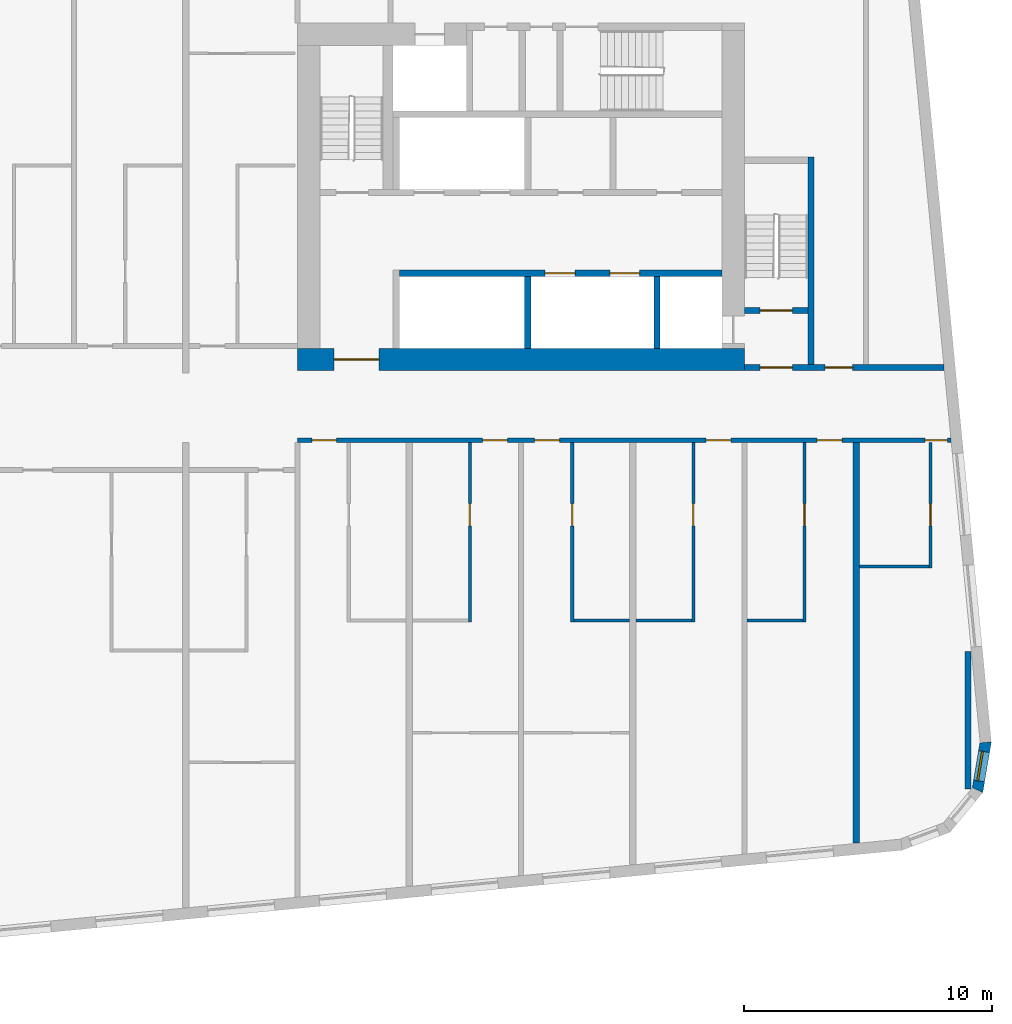
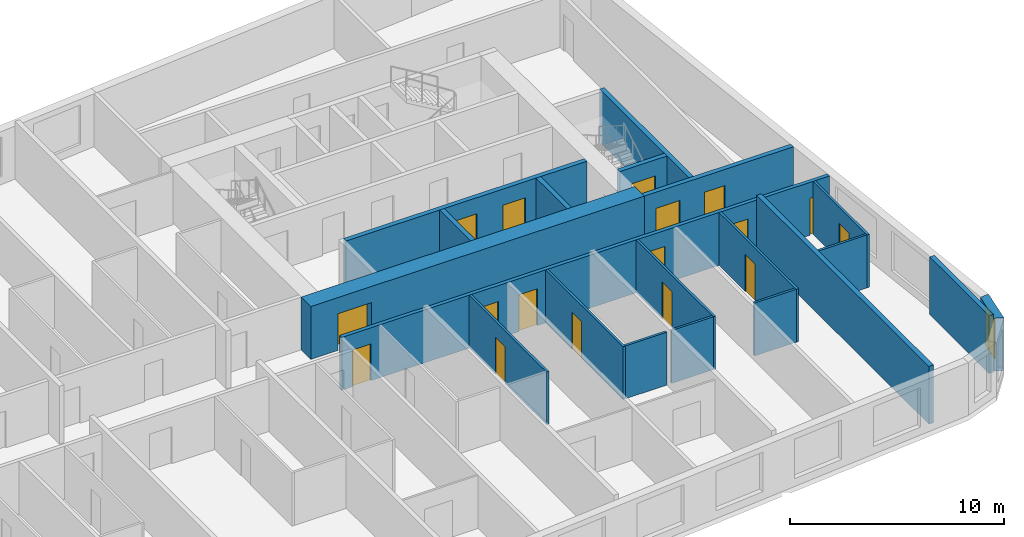
# One storey, part 7 of 12: 20 walls, 17 doors, 1 window, 18 openings.
"""IFC4 building model written with IfcOpenShell, lengths in metres."""

from ifc_helpers import new_model, si_unit, direction, frame, frame_2d, origin, place, context, subcontext, project, spatial, polyline, rectangle, outline, extrude, material, layer, layer_set, type_object, element, fill, save


model = new_model("IFC4")

# Units and contexts
model_context = context("Model", 3, precision=1e-05, world=origin(), true_north=direction((0.0, 1.0)))
body_context = subcontext(model_context, "Body", "Model", "MODEL_VIEW")
ifc_project = project(units=[si_unit("LENGTHUNIT", "METRE"), si_unit("AREAUNIT", "SQUARE_METRE"), si_unit("VOLUMEUNIT", "CUBIC_METRE"), si_unit("PLANEANGLEUNIT", "RADIAN"), si_unit("MASSUNIT", "GRAM", prefix="KILO")], contexts=[model_context])

# Site, building, storey
site_placement = place(None, origin())
site = spatial("IfcSite", under=ifc_project, at=site_placement, CompositionType="ELEMENT")
building_placement = place(site_placement, origin())
building = spatial("IfcBuilding", under=site, at=building_placement, Name="Kajstack Hotel Tower", CompositionType="ELEMENT")
storey_placement = place(building_placement, frame((0.0, 0.0, 193.300048828125)))
storey = spatial("IfcBuildingStorey", under=building, at=storey_placement, Name="L46", CompositionType="ELEMENT", Elevation=193.300048828125)

# Wall, opening, door
ifc_material_1 = material(Name="Concrete C60/75", Category="concrete")
ifc_layer_1 = layer(ifc_material_1, 0.89990234375)
ifc_layer_set_1 = layer_set([ifc_layer_1], Name="Core wall 900")
wall_type_1 = type_object("IfcWallType", Name="Core wall 900", PredefinedType="SHEAR", material=ifc_layer_set_1)
wall_1_placement = place(storey_placement, frame((13.5, 1.949951171875, 0.0), z_axis=(0.0, 0.0, 1.0), x_axis=(1.0, 0.0, 0.0)))
wall_1 = element("IfcWall", 1, at=wall_1_placement, inside=storey, type_object=wall_type_1, Name="Core wall E RN", PredefinedType="SHEAR", context=body_context, shape_type="SweptSolid", body=[
    extrude(rectangle(XDim=18.0, YDim=0.89990234375, at=frame_2d((9.0, 0.0))), origin(), (0.0, 0.0, 1.0), 3.02001953125),
])
opening_1_placement = place(wall_1_placement, frame((1.47509765625, 0.0, 0.0)))
opening_1 = element("IfcOpeningElement", 2, at=opening_1_placement, cuts=wall_1, Name="Opening 46E07", PredefinedType="OPENING", context=body_context, shape_type="SweptSolid", body=[
    extrude(rectangle(XDim=1.800048828125, YDim=2.10009765625, at=frame_2d((0.89990234375, 1.050048828125))), frame((0.0, 0.4599609375, 0.0), z_axis=(0.0, -1.0, 0.0), x_axis=(1.0, 0.0, 0.0)), (0.0, 0.0, 1.0), 0.919921875),
])
ifc_material_2 = material(Name="Glazed steel frame, fire-rated glass", Category="steel")
door_type_1 = type_object("IfcDoorType", Name="Lobby double door 1800", OperationType="DOUBLE_DOOR_DOUBLE_SWING", PredefinedType="DOOR", material=ifc_material_2)
door_1_placement = place(opening_1_placement, origin())
door_1 = element("IfcDoor", 3, at=door_1_placement, inside=storey, type_object=door_type_1, Name="Door 46E07", OperationType="DOUBLE_DOOR_DOUBLE_SWING", OverallHeight=2.10009765625, OverallWidth=1.800048828125, PredefinedType="DOOR", context=body_context, shape_type="SweptSolid", body=[
    extrude(rectangle(XDim=1.800048828125, YDim=2.10009765625, at=frame_2d((0.89990234375, 1.050048828125))), frame((0.0, 0.02490234375, 0.0), z_axis=(0.0, -1.0, 0.0), x_axis=(1.0, 0.0, 0.0)), (0.0, 0.0, 1.0), 0.050048828125),
])
fill(opening_1, door_1)

# Wall, openings, doors
ifc_material_3 = material(Name="Gypsum board on steel studs, mineral wool", Category="steel")
ifc_layer_2 = layer(ifc_material_3, 0.199951171875)
ifc_layer_set_2 = layer_set([ifc_layer_2], Name="Corridor wall 200")
wall_type_2 = type_object("IfcWallType", Name="Corridor wall 200", PredefinedType="PARTITIONING", material=ifc_layer_set_2)
wall_2_placement = place(storey_placement, frame((13.5, -1.300048828125, 0.0), z_axis=(0.0, 0.0, 1.0), x_axis=(1.0, 0.0, 0.0)))
wall_2 = element("IfcWall", 4, at=wall_2_placement, inside=storey, type_object=wall_type_2, Name="G-wall-L46-027", PredefinedType="PARTITIONING", context=body_context, shape_type="SweptSolid", body=[
    extrude(rectangle(XDim=26.31689453125, YDim=0.199951171875, at=frame_2d((13.158447265625, 0.0))), origin(), (0.0, 0.0, 1.0), 3.02001953125),
])
opening_2_placement = place(wall_2_placement, frame((0.574951171875, 0.0, 0.0)))
opening_2 = element("IfcOpeningElement", 5, at=opening_2_placement, cuts=wall_2, Name="Opening 46031", PredefinedType="OPENING", context=body_context, shape_type="SweptSolid", body=[
    extrude(rectangle(XDim=1.0, YDim=2.10009765625, at=frame_2d((0.5, 1.050048828125))), frame((0.0, 0.10986328125, 0.0), z_axis=(0.0, -1.0, 0.0), x_axis=(1.0, 0.0, 0.0)), (0.0, 0.0, 1.0), 0.219970703125),
])
opening_3_placement = place(wall_2_placement, frame((7.449951171875, 0.0, 0.0)))
opening_3 = element("IfcOpeningElement", 6, at=opening_3_placement, cuts=wall_2, Name="Opening 46033", PredefinedType="OPENING", context=body_context, shape_type="SweptSolid", body=[
    extrude(rectangle(XDim=1.0, YDim=2.10009765625, at=frame_2d((0.5, 1.050048828125))), frame((0.0, 0.10986328125, 0.0), z_axis=(0.0, -1.0, 0.0), x_axis=(1.0, 0.0, 0.0)), (0.0, 0.0, 1.0), 0.219970703125),
])
opening_4_placement = place(wall_2_placement, frame((9.550048828125, 0.0, 0.0)))
opening_4 = element("IfcOpeningElement", 7, at=opening_4_placement, cuts=wall_2, Name="Opening 46036", PredefinedType="OPENING", context=body_context, shape_type="SweptSolid", body=[
    extrude(rectangle(XDim=1.0, YDim=2.10009765625, at=frame_2d((0.5, 1.050048828125))), frame((0.0, 0.10986328125, 0.0), z_axis=(0.0, -1.0, 0.0), x_axis=(1.0, 0.0, 0.0)), (0.0, 0.0, 1.0), 0.219970703125),
])
opening_5_placement = place(wall_2_placement, frame((16.449951171875, 0.0, 0.0)))
opening_5 = element("IfcOpeningElement", 8, at=opening_5_placement, cuts=wall_2, Name="Opening 46039", PredefinedType="OPENING", context=body_context, shape_type="SweptSolid", body=[
    extrude(rectangle(XDim=1.0, YDim=2.10009765625, at=frame_2d((0.5, 1.050048828125))), frame((0.0, 0.10986328125, 0.0), z_axis=(0.0, -1.0, 0.0), x_axis=(1.0, 0.0, 0.0)), (0.0, 0.0, 1.0), 0.219970703125),
])
opening_6_placement = place(wall_2_placement, frame((20.925048828125, 0.0, 0.0)))
opening_6 = element("IfcOpeningElement", 9, at=opening_6_placement, cuts=wall_2, Name="Opening 46041", PredefinedType="OPENING", context=body_context, shape_type="SweptSolid", body=[
    extrude(rectangle(XDim=1.0, YDim=2.10009765625, at=frame_2d((0.5, 1.050048828125))), frame((0.0, 0.10986328125, 0.0), z_axis=(0.0, -1.0, 0.0), x_axis=(1.0, 0.0, 0.0)), (0.0, 0.0, 1.0), 0.219970703125),
])
opening_7_placement = place(wall_2_placement, frame((25.26708984375, 0.0, 0.0)))
opening_7 = element("IfcOpeningElement", 10, at=opening_7_placement, cuts=wall_2, Name="Opening 46043", PredefinedType="OPENING", context=body_context, shape_type="SweptSolid", body=[
    extrude(rectangle(XDim=0.89990234375, YDim=2.10009765625, at=frame_2d((0.449951171875, 1.050048828125))), frame((0.0, 0.10986328125, 0.0), z_axis=(0.0, -1.0, 0.0), x_axis=(1.0, 0.0, 0.0)), (0.0, 0.0, 1.0), 0.219970703125),
])
ifc_material_4 = material(Name="Oak veneer on timber core, fire-rated leaf", Category="wood")
door_type_2 = type_object("IfcDoorType", Name="Flat entrance door 1000", OperationType="SINGLE_SWING_LEFT", PredefinedType="DOOR", material=ifc_material_4)
door_2_placement = place(opening_2_placement, origin())
door_2 = element("IfcDoor", 11, at=door_2_placement, inside=storey, type_object=door_type_2, Name="G-door-L46-31", OperationType="SINGLE_SWING_RIGHT", OverallHeight=2.10009765625, OverallWidth=1.0, PredefinedType="DOOR", context=body_context, shape_type="SweptSolid", body=[
    extrude(rectangle(XDim=1.0, YDim=2.10009765625, at=frame_2d((0.5, 1.050048828125))), frame((0.0, 0.02490234375, 0.0), z_axis=(0.0, -1.0, 0.0), x_axis=(1.0, 0.0, 0.0)), (0.0, 0.0, 1.0), 0.050048828125),
])
fill(opening_2, door_2)
door_3_placement = place(opening_3_placement, origin())
door_3 = element("IfcDoor", 12, at=door_3_placement, inside=storey, type_object=door_type_2, Name="G-door-L46-33", OperationType="SINGLE_SWING_LEFT", OverallHeight=2.10009765625, OverallWidth=1.0, PredefinedType="DOOR", context=body_context, shape_type="SweptSolid", body=[
    extrude(rectangle(XDim=1.0, YDim=2.10009765625, at=frame_2d((0.5, 1.050048828125))), frame((0.0, 0.02490234375, 0.0), z_axis=(0.0, -1.0, 0.0), x_axis=(1.0, 0.0, 0.0)), (0.0, 0.0, 1.0), 0.050048828125),
])
fill(opening_3, door_3)
door_4_placement = place(opening_4_placement, origin())
door_4 = element("IfcDoor", 13, at=door_4_placement, inside=storey, type_object=door_type_2, Name="G-door-L46-36", OperationType="SINGLE_SWING_LEFT", OverallHeight=2.10009765625, OverallWidth=1.0, PredefinedType="DOOR", context=body_context, shape_type="SweptSolid", body=[
    extrude(rectangle(XDim=1.0, YDim=2.10009765625, at=frame_2d((0.5, 1.050048828125))), frame((0.0, 0.02490234375, 0.0), z_axis=(0.0, -1.0, 0.0), x_axis=(1.0, 0.0, 0.0)), (0.0, 0.0, 1.0), 0.050048828125),
])
fill(opening_4, door_4)
door_5_placement = place(opening_5_placement, origin())
door_5 = element("IfcDoor", 14, at=door_5_placement, inside=storey, type_object=door_type_2, Name="G-door-L46-39", OperationType="SINGLE_SWING_LEFT", OverallHeight=2.10009765625, OverallWidth=1.0, PredefinedType="DOOR", context=body_context, shape_type="SweptSolid", body=[
    extrude(rectangle(XDim=1.0, YDim=2.10009765625, at=frame_2d((0.5, 1.050048828125))), frame((0.0, 0.02490234375, 0.0), z_axis=(0.0, -1.0, 0.0), x_axis=(1.0, 0.0, 0.0)), (0.0, 0.0, 1.0), 0.050048828125),
])
fill(opening_5, door_5)
door_6_placement = place(opening_6_placement, origin())
door_6 = element("IfcDoor", 15, at=door_6_placement, inside=storey, type_object=door_type_2, Name="G-door-L46-41", OperationType="SINGLE_SWING_RIGHT", OverallHeight=2.10009765625, OverallWidth=1.0, PredefinedType="DOOR", context=body_context, shape_type="SweptSolid", body=[
    extrude(rectangle(XDim=1.0, YDim=2.10009765625, at=frame_2d((0.5, 1.050048828125))), frame((0.0, 0.02490234375, 0.0), z_axis=(0.0, -1.0, 0.0), x_axis=(1.0, 0.0, 0.0)), (0.0, 0.0, 1.0), 0.050048828125),
])
fill(opening_6, door_6)
ifc_material_5 = material(Name="Painted timber door leaf", Category="wood")
door_type_3 = type_object("IfcDoorType", Name="Room door 900", OperationType="SINGLE_SWING_LEFT", PredefinedType="DOOR", material=ifc_material_5)
door_7_placement = place(opening_7_placement, origin())
door_7 = element("IfcDoor", 16, at=door_7_placement, inside=storey, type_object=door_type_3, Name="G-door-L46-43", OperationType="SINGLE_SWING_LEFT", OverallHeight=2.10009765625, OverallWidth=0.89990234375, PredefinedType="DOOR", context=body_context, shape_type="SweptSolid", body=[
    extrude(rectangle(XDim=0.89990234375, YDim=2.10009765625, at=frame_2d((0.449951171875, 1.050048828125))), frame((0.0, 0.02490234375, 0.0), z_axis=(0.0, -1.0, 0.0), x_axis=(1.0, 0.0, 0.0)), (0.0, 0.0, 1.0), 0.050048828125),
])
fill(opening_7, door_7)

# Wall, opening, window
ifc_material_6 = material(Name="Terracotta-faced brick masonry", Category="masonry")
ifc_layer_3 = layer(ifc_material_6, 0.449951171875)
ifc_layer_set_3 = layer_set([ifc_layer_3], Name="EW-TERRA")
wall_type_3 = type_object("IfcWallType", Name="EW-TERRA", PredefinedType="SOLIDWALL", material=ifc_layer_set_3)
wall_3_placement = place(storey_placement, frame((40.874755859375, -15.44921875, 0.0), z_axis=(0.0, 0.0, 1.0), x_axis=(0.164953448126, 0.986301353518, 0.0)))
wall_3 = element("IfcWall", 17, at=wall_3_placement, inside=storey, type_object=wall_type_3, Name="E-wall-L46-07-00", PredefinedType="SOLIDWALL", context=body_context, shape_type="SweptSolid", body=[
    extrude(outline(polyline([(0.0, -0.224853515625), (2.070556640625, -0.22509765625), (1.9501953125, 0.224853515625), (0.12060546875, 0.22509765625), (0.0, -0.224853515625)])), origin(), (0.0, 0.0, 1.0), 3.02001953125),
])
opening_8_placement = place(wall_3_placement, frame((0.435302734375, 0.0, 0.449951171875)))
opening_8 = element("IfcOpeningElement", 18, at=opening_8_placement, cuts=wall_3, Name="Opening W3", PredefinedType="OPENING", context=body_context, shape_type="SweptSolid", body=[
    extrude(rectangle(XDim=1.199951171875, YDim=2.25, at=frame_2d((0.60009765625, 1.125))), frame((0.0, 0.23486328125, 0.0), z_axis=(0.0, -1.0, 0.0), x_axis=(1.0, 0.0, 0.0)), (0.0, 0.0, 1.0), 0.469970703125),
])
ifc_material_7 = material(Name="Timber-aluminium window, triple glazed", Category="wood")
window_type = type_object("IfcWindowType", Name="WG3", PartitioningType="SINGLE_PANEL", PredefinedType="WINDOW", material=ifc_material_7)
window_placement = place(opening_8_placement, origin())
window = element("IfcWindow", 19, at=window_placement, inside=storey, type_object=window_type, Name="Window W3 L46-07", OverallHeight=2.25, OverallWidth=1.199951171875, PartitioningType="SINGLE_PANEL", PredefinedType="WINDOW", context=body_context, shape_type="SweptSolid", body=[
    extrude(rectangle(XDim=1.199951171875, YDim=2.25, at=frame_2d((0.60009765625, 1.125))), frame((0.0, 0.090087890625, 0.0), z_axis=(0.0, -1.0, 0.0), x_axis=(1.0, 0.0, 0.0)), (0.0, 0.0, 1.0), 0.06005859375),
])
fill(opening_8, window)

# Wall, opening, door
ifc_material_8 = material(Name="Gypsum board and tiled backer on steel studs", Category="steel")
ifc_layer_4 = layer(ifc_material_8, 0.125)
ifc_layer_set_4 = layer_set([ifc_layer_4], Name="En-suite wall 125")
wall_type_4 = type_object("IfcWallType", Name="En-suite wall 125", PredefinedType="PARTITIONING", material=ifc_layer_set_4)
wall_4_placement = place(storey_placement, frame((20.43798828125, -8.625, 0.0), z_axis=(0.0, 0.0, 1.0), x_axis=(0.0, 1.0, 0.0)))
wall_4 = element("IfcWall", 20, at=wall_4_placement, inside=storey, type_object=wall_type_4, Name="G-wall-L46-044", PredefinedType="PARTITIONING", context=body_context, shape_type="SweptSolid", body=[
    extrude(rectangle(XDim=7.22509765625, YDim=0.125, at=frame_2d((3.612548828125, 0.0))), origin(), (0.0, 0.0, 1.0), 3.02001953125),
])
opening_9_placement = place(wall_4_placement, frame((3.875, 0.0, 0.0)))
opening_9 = element("IfcOpeningElement", 21, at=opening_9_placement, cuts=wall_4, Name="Opening 46034", PredefinedType="OPENING", context=body_context, shape_type="SweptSolid", body=[
    extrude(rectangle(XDim=0.89990234375, YDim=2.10009765625, at=frame_2d((0.449951171875, 1.050048828125))), frame((0.0, 0.072509765625, 0.0), z_axis=(0.0, -1.0, 0.0), x_axis=(1.0, 0.0, 0.0)), (0.0, 0.0, 1.0), 0.14501953125),
])
door_8_placement = place(opening_9_placement, origin())
door_8 = element("IfcDoor", 22, at=door_8_placement, inside=storey, type_object=door_type_3, Name="G-door-L46-34", OperationType="SINGLE_SWING_RIGHT", OverallHeight=2.10009765625, OverallWidth=0.89990234375, PredefinedType="DOOR", context=body_context, shape_type="SweptSolid", body=[
    extrude(rectangle(XDim=0.89990234375, YDim=2.10009765625, at=frame_2d((0.449951171875, 1.050048828125))), frame((0.0, 0.02490234375, 0.0), z_axis=(0.0, -1.0, 0.0), x_axis=(1.0, 0.0, 0.0)), (0.0, 0.0, 1.0), 0.050048828125),
])
fill(opening_9, door_8)

wall_5_placement = place(storey_placement, frame((24.56201171875, -8.625, 0.0), z_axis=(0.0, 0.0, 1.0), x_axis=(0.0, 1.0, 0.0)))
wall_5 = element("IfcWall", 23, at=wall_5_placement, inside=storey, type_object=wall_type_4, Name="G-wall-L46-047", PredefinedType="PARTITIONING", context=body_context, shape_type="SweptSolid", body=[
    extrude(rectangle(XDim=7.22509765625, YDim=0.125, at=frame_2d((3.612548828125, 0.0))), origin(), (0.0, 0.0, 1.0), 3.02001953125),
])
opening_10_placement = place(wall_5_placement, frame((3.875, 0.0, 0.0)))
opening_10 = element("IfcOpeningElement", 24, at=opening_10_placement, cuts=wall_5, Name="Opening 46037", PredefinedType="OPENING", context=body_context, shape_type="SweptSolid", body=[
    extrude(rectangle(XDim=0.89990234375, YDim=2.10009765625, at=frame_2d((0.449951171875, 1.050048828125))), frame((0.0, 0.072509765625, 0.0), z_axis=(0.0, -1.0, 0.0), x_axis=(1.0, 0.0, 0.0)), (0.0, 0.0, 1.0), 0.14501953125),
])
door_9_placement = place(opening_10_placement, origin())
door_9 = element("IfcDoor", 25, at=door_9_placement, inside=storey, type_object=door_type_3, Name="G-door-L46-37", OperationType="SINGLE_SWING_LEFT", OverallHeight=2.10009765625, OverallWidth=0.89990234375, PredefinedType="DOOR", context=body_context, shape_type="SweptSolid", body=[
    extrude(rectangle(XDim=0.89990234375, YDim=2.10009765625, at=frame_2d((0.449951171875, 1.050048828125))), frame((0.0, 0.02490234375, 0.0), z_axis=(0.0, -1.0, 0.0), x_axis=(1.0, 0.0, 0.0)), (0.0, 0.0, 1.0), 0.050048828125),
])
fill(opening_10, door_9)

# Wall
wall_6_placement = place(storey_placement, frame((24.625, -8.56201171875, 0.0), z_axis=(0.0, 0.0, 1.0), x_axis=(1.0, 0.0, 0.0)))
element("IfcWall", 26, at=wall_6_placement, inside=storey, type_object=wall_type_4, Name="G-wall-L46-048", PredefinedType="PARTITIONING", context=body_context, shape_type="SweptSolid", body=[
    extrude(rectangle(XDim=2.25, YDim=0.125, at=frame_2d((1.125, 0.0))), origin(), (0.0, 0.0, 1.0), 3.02001953125),
])

# Wall, opening, door
wall_7_placement = place(storey_placement, frame((29.43798828125, -8.625, 0.0), z_axis=(0.0, 0.0, 1.0), x_axis=(0.0, 1.0, 0.0)))
wall_7 = element("IfcWall", 27, at=wall_7_placement, inside=storey, type_object=wall_type_4, Name="G-wall-L46-051", PredefinedType="PARTITIONING", context=body_context, shape_type="SweptSolid", body=[
    extrude(rectangle(XDim=7.22509765625, YDim=0.125, at=frame_2d((3.612548828125, 0.0))), origin(), (0.0, 0.0, 1.0), 3.02001953125),
])
opening_11_placement = place(wall_7_placement, frame((3.875, 0.0, 0.0)))
opening_11 = element("IfcOpeningElement", 28, at=opening_11_placement, cuts=wall_7, Name="Opening 46040", PredefinedType="OPENING", context=body_context, shape_type="SweptSolid", body=[
    extrude(rectangle(XDim=0.89990234375, YDim=2.10009765625, at=frame_2d((0.449951171875, 1.050048828125))), frame((0.0, 0.072509765625, 0.0), z_axis=(0.0, -1.0, 0.0), x_axis=(1.0, 0.0, 0.0)), (0.0, 0.0, 1.0), 0.14501953125),
])
door_10_placement = place(opening_11_placement, origin())
door_10 = element("IfcDoor", 29, at=door_10_placement, inside=storey, type_object=door_type_3, Name="G-door-L46-40", OperationType="SINGLE_SWING_RIGHT", OverallHeight=2.10009765625, OverallWidth=0.89990234375, PredefinedType="DOOR", context=body_context, shape_type="SweptSolid", body=[
    extrude(rectangle(XDim=0.89990234375, YDim=2.10009765625, at=frame_2d((0.449951171875, 1.050048828125))), frame((0.0, 0.02490234375, 0.0), z_axis=(0.0, -1.0, 0.0), x_axis=(1.0, 0.0, 0.0)), (0.0, 0.0, 1.0), 0.050048828125),
])
fill(opening_11, door_10)

# Wall
wall_8_placement = place(storey_placement, frame((27.125, -8.56201171875, 0.0), z_axis=(0.0, 0.0, 1.0), x_axis=(1.0, 0.0, 0.0)))
element("IfcWall", 30, at=wall_8_placement, inside=storey, type_object=wall_type_4, Name="G-wall-L46-052", PredefinedType="PARTITIONING", context=body_context, shape_type="SweptSolid", body=[
    extrude(rectangle(XDim=2.25, YDim=0.125, at=frame_2d((1.125, 0.0))), origin(), (0.0, 0.0, 1.0), 3.02001953125),
])

# Wall, opening, door
wall_9_placement = place(storey_placement, frame((33.9130859375, -8.625, 0.0), z_axis=(0.0, 0.0, 1.0), x_axis=(0.0, 1.0, 0.0)))
wall_9 = element("IfcWall", 31, at=wall_9_placement, inside=storey, type_object=wall_type_4, Name="G-wall-L46-053", PredefinedType="PARTITIONING", context=body_context, shape_type="SweptSolid", body=[
    extrude(rectangle(XDim=7.22509765625, YDim=0.125, at=frame_2d((3.612548828125, 0.0))), origin(), (0.0, 0.0, 1.0), 3.02001953125),
])
opening_12_placement = place(wall_9_placement, frame((3.875, 0.0, 0.0)))
opening_12 = element("IfcOpeningElement", 32, at=opening_12_placement, cuts=wall_9, Name="Opening 46042", PredefinedType="OPENING", context=body_context, shape_type="SweptSolid", body=[
    extrude(rectangle(XDim=0.89990234375, YDim=2.10009765625, at=frame_2d((0.449951171875, 1.050048828125))), frame((0.0, 0.072509765625, 0.0), z_axis=(0.0, -1.0, 0.0), x_axis=(1.0, 0.0, 0.0)), (0.0, 0.0, 1.0), 0.14501953125),
])
door_11_placement = place(opening_12_placement, origin())
door_11 = element("IfcDoor", 33, at=door_11_placement, inside=storey, type_object=door_type_3, Name="G-door-L46-42", OperationType="SINGLE_SWING_LEFT", OverallHeight=2.10009765625, OverallWidth=0.89990234375, PredefinedType="DOOR", context=body_context, shape_type="SweptSolid", body=[
    extrude(rectangle(XDim=0.89990234375, YDim=2.10009765625, at=frame_2d((0.449951171875, 1.050048828125))), frame((0.0, 0.02490234375, 0.0), z_axis=(0.0, -1.0, 0.0), x_axis=(1.0, 0.0, 0.0)), (0.0, 0.0, 1.0), 0.050048828125),
])
fill(opening_12, door_11)

# Wall
wall_10_placement = place(storey_placement, frame((31.60009765625, -8.56201171875, 0.0), z_axis=(0.0, 0.0, 1.0), x_axis=(1.0, 0.0, 0.0)))
element("IfcWall", 34, at=wall_10_placement, inside=storey, type_object=wall_type_4, Name="G-wall-L46-054", PredefinedType="PARTITIONING", context=body_context, shape_type="SweptSolid", body=[
    extrude(rectangle(XDim=2.25, YDim=0.125, at=frame_2d((1.125, 0.0))), origin(), (0.0, 0.0, 1.0), 3.02001953125),
])

# Wall, opening, door
wall_11_placement = place(storey_placement, frame((38.987060546875, -6.445068359375, 0.0), z_axis=(0.0, 0.0, 1.0), x_axis=(0.0, 1.0, 0.0)))
wall_11 = element("IfcWall", 35, at=wall_11_placement, inside=storey, type_object=wall_type_4, Name="G-wall-L46-055", PredefinedType="PARTITIONING", context=body_context, shape_type="SweptSolid", body=[
    extrude(rectangle(XDim=5.045166015625, YDim=0.125, at=frame_2d((2.5224609375, 0.0))), origin(), (0.0, 0.0, 1.0), 3.02001953125),
])
opening_13_placement = place(wall_11_placement, frame((1.695068359375, 0.0, 0.0)))
opening_13 = element("IfcOpeningElement", 36, at=opening_13_placement, cuts=wall_11, Name="Opening 46044", PredefinedType="OPENING", context=body_context, shape_type="SweptSolid", body=[
    extrude(rectangle(XDim=0.89990234375, YDim=2.10009765625, at=frame_2d((0.449951171875, 1.050048828125))), frame((0.0, 0.072509765625, 0.0), z_axis=(0.0, -1.0, 0.0), x_axis=(1.0, 0.0, 0.0)), (0.0, 0.0, 1.0), 0.14501953125),
])
door_12_placement = place(opening_13_placement, origin())
door_12 = element("IfcDoor", 37, at=door_12_placement, inside=storey, type_object=door_type_3, Name="G-door-L46-44", OperationType="SINGLE_SWING_RIGHT", OverallHeight=2.10009765625, OverallWidth=0.89990234375, PredefinedType="DOOR", context=body_context, shape_type="SweptSolid", body=[
    extrude(rectangle(XDim=0.89990234375, YDim=2.10009765625, at=frame_2d((0.449951171875, 1.050048828125))), frame((0.0, 0.02490234375, 0.0), z_axis=(0.0, -1.0, 0.0), x_axis=(1.0, 0.0, 0.0)), (0.0, 0.0, 1.0), 0.050048828125),
])
fill(opening_13, door_12)

# Walls
wall_12_placement = place(storey_placement, frame((36.125, -6.382080078125, 0.0), z_axis=(0.0, 0.0, 1.0), x_axis=(1.0, 0.0, 0.0)))
element("IfcWall", 38, at=wall_12_placement, inside=storey, type_object=wall_type_4, Name="G-wall-L46-056", PredefinedType="PARTITIONING", context=body_context, shape_type="SweptSolid", body=[
    extrude(rectangle(XDim=2.800048828125, YDim=0.125, at=frame_2d((1.39990234375, 0.0))), origin(), (0.0, 0.0, 1.0), 3.02001953125),
])
ifc_material_9 = material(Name="Concrete C50/60", Category="concrete")
ifc_layer_5 = layer(ifc_material_9, 0.300048828125)
ifc_layer_set_5 = layer_set([ifc_layer_5], Name="Hoistway divider wall 300")
wall_type_5 = type_object("IfcWallType", Name="Hoistway divider wall 300", PredefinedType="SHEAR", material=ifc_layer_set_5)
wall_13_placement = place(storey_placement, frame((22.77490234375, 2.39990234375, 0.0), z_axis=(0.0, 0.0, 1.0), x_axis=(0.0, 1.0, 0.0)))
element("IfcWall", 39, at=wall_13_placement, inside=storey, type_object=wall_type_5, Name="Core wall E AP2", PredefinedType="SHEAR", context=body_context, shape_type="SweptSolid", body=[
    extrude(rectangle(XDim=2.900146484375, YDim=0.25, at=frame_2d((1.4501953125, 0.0))), origin(), (0.0, 0.0, 1.0), 3.02001953125),
])
ifc_layer_6 = layer(ifc_material_9, 0.25)
ifc_layer_set_6 = layer_set([ifc_layer_6], Name="RC cross wall 250 C50/60")
wall_type_6 = type_object("IfcWallType", Name="RC cross wall 250 C50/60", PredefinedType="SHEAR", material=ifc_layer_set_6)
wall_14_placement = place(storey_placement, frame((36.0, -17.51220703125, 0.0), z_axis=(0.0, 0.0, 1.0), x_axis=(0.0, 1.0, 0.0)))
element("IfcWall", 40, at=wall_14_placement, inside=storey, type_object=wall_type_6, Name="S-wall-L46-12", PredefinedType="SHEAR", context=body_context, shape_type="SweptSolid", body=[
    extrude(rectangle(XDim=16.1123046875, YDim=0.25, at=frame_2d((8.05615234375, 0.0))), origin(), (0.0, 0.0, 1.0), 3.300048828125),
])
wall_15_placement = place(storey_placement, frame((40.5, -15.335205078125, 0.0), z_axis=(0.0, 0.0, 1.0), x_axis=(0.0, 1.0, 0.0)))
element("IfcWall", 41, at=wall_15_placement, inside=storey, type_object=wall_type_6, Name="S-wall-L46-13", PredefinedType="SHEAR", context=body_context, shape_type="SweptSolid", body=[
    extrude(rectangle(XDim=5.5380859375, YDim=0.25, at=frame_2d((2.76904296875, 0.0))), origin(), (0.0, 0.0, 1.0), 3.300048828125),
])

# Wall, openings, doors
ifc_layer_7 = layer(ifc_material_3, 0.199951171875)
ifc_layer_set_7 = layer_set([ifc_layer_7], Name="Service partition 200")
wall_type_7 = type_object("IfcWallType", Name="Service partition 200", PredefinedType="PARTITIONING", material=ifc_layer_set_7)
wall_16_placement = place(storey_placement, frame((31.5, 1.625, 0.0), z_axis=(0.0, 0.0, 1.0), x_axis=(1.0, 0.0, 0.0)))
wall_16 = element("IfcWall", 42, at=wall_16_placement, inside=storey, type_object=wall_type_7, Name="Partition E SN", PredefinedType="PARTITIONING", context=body_context, shape_type="SweptSolid", body=[
    extrude(rectangle(XDim=8.035400390625, YDim=0.25, at=frame_2d((4.017578125, 0.0))), origin(), (0.0, 0.0, 1.0), 3.02001953125),
])
opening_14_placement = place(wall_16_placement, frame((0.625, 0.0, 0.0)))
opening_14 = element("IfcOpeningElement", 43, at=opening_14_placement, cuts=wall_16, Name="Opening 46E08", PredefinedType="OPENING", context=body_context, shape_type="SweptSolid", body=[
    extrude(rectangle(XDim=1.300048828125, YDim=2.10009765625, at=frame_2d((0.64990234375, 1.050048828125))), frame((0.0, 0.135009765625, 0.0), z_axis=(0.0, -1.0, 0.0), x_axis=(1.0, 0.0, 0.0)), (0.0, 0.0, 1.0), 0.27001953125),
])
opening_15_placement = place(wall_16_placement, frame((3.25, 0.0, 0.0)))
opening_15 = element("IfcOpeningElement", 44, at=opening_15_placement, cuts=wall_16, Name="Opening 46E10", PredefinedType="OPENING", context=body_context, shape_type="SweptSolid", body=[
    extrude(rectangle(XDim=1.10009765625, YDim=2.10009765625, at=frame_2d((0.550048828125, 1.050048828125))), frame((0.0, 0.135009765625, 0.0), z_axis=(0.0, -1.0, 0.0), x_axis=(1.0, 0.0, 0.0)), (0.0, 0.0, 1.0), 0.27001953125),
])
ifc_material_10 = material(Name="Steel leaf, fire-rated", Category="steel")
door_type_4 = type_object("IfcDoorType", Name="Fire lobby door 1300", OperationType="SINGLE_SWING_LEFT", PredefinedType="DOOR", material=ifc_material_10)
door_13_placement = place(opening_14_placement, origin())
door_13 = element("IfcDoor", 45, at=door_13_placement, inside=storey, type_object=door_type_4, Name="Door 46E08", OperationType="SINGLE_SWING_LEFT", OverallHeight=2.10009765625, OverallWidth=1.300048828125, PredefinedType="DOOR", context=body_context, shape_type="SweptSolid", body=[
    extrude(rectangle(XDim=1.300048828125, YDim=2.10009765625, at=frame_2d((0.64990234375, 1.050048828125))), frame((0.0, 0.02490234375, 0.0), z_axis=(0.0, -1.0, 0.0), x_axis=(1.0, 0.0, 0.0)), (0.0, 0.0, 1.0), 0.050048828125),
])
fill(opening_14, door_13)
ifc_material_11 = material(Name="Timber leaf, fire-rated", Category="wood")
door_type_5 = type_object("IfcDoorType", Name="Service corridor door 1100", OperationType="SINGLE_SWING_LEFT", PredefinedType="DOOR", material=ifc_material_11)
door_14_placement = place(opening_15_placement, origin())
door_14 = element("IfcDoor", 46, at=door_14_placement, inside=storey, type_object=door_type_5, Name="Door 46E10", OperationType="SINGLE_SWING_LEFT", OverallHeight=2.10009765625, OverallWidth=1.10009765625, PredefinedType="DOOR", context=body_context, shape_type="SweptSolid", body=[
    extrude(rectangle(XDim=1.10009765625, YDim=2.10009765625, at=frame_2d((0.550048828125, 1.050048828125))), frame((0.0, 0.02490234375, 0.0), z_axis=(0.0, -1.0, 0.0), x_axis=(1.0, 0.0, 0.0)), (0.0, 0.0, 1.0), 0.050048828125),
])
fill(opening_15, door_14)

ifc_layer_8 = layer(ifc_material_9, 0.25)
ifc_layer_set_8 = layer_set([ifc_layer_8], Name="Shaft wall 250")
wall_type_8 = type_object("IfcWallType", Name="Shaft wall 250", PredefinedType="SHEAR", material=ifc_layer_set_8)
wall_17_placement = place(storey_placement, frame((17.60009765625, 5.425048828125, 0.0), z_axis=(0.0, 0.0, 1.0), x_axis=(1.0, 0.0, 0.0)))
wall_17 = element("IfcWall", 47, at=wall_17_placement, inside=storey, type_object=wall_type_8, Name="Core wall E FA", PredefinedType="SHEAR", context=body_context, shape_type="SweptSolid", body=[
    extrude(rectangle(XDim=13.0, YDim=0.25, at=frame_2d((6.5, 0.0))), origin(), (0.0, 0.0, 1.0), 3.02001953125),
])
opening_16_placement = place(wall_17_placement, frame((8.47509765625, 0.0, 0.0)))
opening_16 = element("IfcOpeningElement", 48, at=opening_16_placement, cuts=wall_17, Name="Opening LD-MR7", PredefinedType="OPENING", context=body_context, shape_type="SweptSolid", body=[
    extrude(rectangle(XDim=1.199951171875, YDim=2.10009765625, at=frame_2d((0.60009765625, 1.050048828125))), frame((0.0, 0.135009765625, 0.0), z_axis=(0.0, -1.0, 0.0), x_axis=(1.0, 0.0, 0.0)), (0.0, 0.0, 1.0), 0.27001953125),
])
opening_17_placement = place(wall_17_placement, frame((5.875, 0.0, 0.0)))
opening_17 = element("IfcOpeningElement", 49, at=opening_17_placement, cuts=wall_17, Name="Opening LD-MR8", PredefinedType="OPENING", context=body_context, shape_type="SweptSolid", body=[
    extrude(rectangle(XDim=1.199951171875, YDim=2.10009765625, at=frame_2d((0.60009765625, 1.050048828125))), frame((0.0, 0.135009765625, 0.0), z_axis=(0.0, -1.0, 0.0), x_axis=(1.0, 0.0, 0.0)), (0.0, 0.0, 1.0), 0.27001953125),
])
ifc_material_12 = material(Name="Stainless steel", Category="steel")
door_type_6 = type_object("IfcDoorType", Name="Lift landing door 1200", OperationType="SLIDING_TO_LEFT", PredefinedType="DOOR", material=ifc_material_12)
door_15_placement = place(opening_16_placement, origin())
door_15 = element("IfcDoor", 50, at=door_15_placement, inside=storey, type_object=door_type_6, Name="Landing door MR7", OperationType="SLIDING_TO_LEFT", OverallHeight=2.10009765625, OverallWidth=1.199951171875, PredefinedType="DOOR", context=body_context, shape_type="SweptSolid", body=[
    extrude(rectangle(XDim=1.199951171875, YDim=2.10009765625, at=frame_2d((0.60009765625, 1.050048828125))), frame((0.0, 0.02490234375, 0.0), z_axis=(0.0, -1.0, 0.0), x_axis=(1.0, 0.0, 0.0)), (0.0, 0.0, 1.0), 0.050048828125),
])
fill(opening_16, door_15)
door_16_placement = place(opening_17_placement, origin())
door_16 = element("IfcDoor", 51, at=door_16_placement, inside=storey, type_object=door_type_6, Name="Landing door MR8", OperationType="SLIDING_TO_RIGHT", OverallHeight=2.10009765625, OverallWidth=1.199951171875, PredefinedType="DOOR", context=body_context, shape_type="SweptSolid", body=[
    extrude(rectangle(XDim=1.199951171875, YDim=2.10009765625, at=frame_2d((0.60009765625, 1.050048828125))), frame((0.0, 0.02490234375, 0.0), z_axis=(0.0, -1.0, 0.0), x_axis=(1.0, 0.0, 0.0)), (0.0, 0.0, 1.0), 0.050048828125),
])
fill(opening_17, door_16)

# Wall
wall_18_placement = place(storey_placement, frame((27.97509765625, 2.39990234375, 0.0), z_axis=(0.0, 0.0, 1.0), x_axis=(0.0, 1.0, 0.0)))
element("IfcWall", 52, at=wall_18_placement, inside=storey, type_object=wall_type_8, Name="Core wall E AP0", PredefinedType="SHEAR", context=body_context, shape_type="SweptSolid", body=[
    extrude(rectangle(XDim=2.900146484375, YDim=0.25, at=frame_2d((1.4501953125, 0.0))), origin(), (0.0, 0.0, 1.0), 3.02001953125),
])

# Wall, opening, door
ifc_material_13 = material(Name="Concrete C40/50", Category="concrete")
ifc_layer_9 = layer(ifc_material_13, 0.25)
ifc_layer_set_9 = layer_set([ifc_layer_9], Name="Stair enclosure wall 250")
wall_type_9 = type_object("IfcWallType", Name="Stair enclosure wall 250", PredefinedType="SHEAR", material=ifc_layer_set_9)
wall_19_placement = place(storey_placement, frame((31.5, 3.925048828125, 0.0), z_axis=(0.0, 0.0, 1.0), x_axis=(1.0, 0.0, 0.0)))
wall_19 = element("IfcWall", 53, at=wall_19_placement, inside=storey, type_object=wall_type_9, Name="Core wall E W1N", PredefinedType="SHEAR", context=body_context, shape_type="SweptSolid", body=[
    extrude(rectangle(XDim=2.550048828125, YDim=0.25, at=frame_2d((1.27490234375, 0.0))), origin(), (0.0, 0.0, 1.0), 3.02001953125),
])
opening_18_placement = place(wall_19_placement, frame((0.625, 0.0, 0.0)))
opening_18 = element("IfcOpeningElement", 54, at=opening_18_placement, cuts=wall_19, Name="Opening 46E09", PredefinedType="OPENING", context=body_context, shape_type="SweptSolid", body=[
    extrude(rectangle(XDim=1.300048828125, YDim=2.10009765625, at=frame_2d((0.64990234375, 1.050048828125))), frame((0.0, 0.135009765625, 0.0), z_axis=(0.0, -1.0, 0.0), x_axis=(1.0, 0.0, 0.0)), (0.0, 0.0, 1.0), 0.27001953125),
])
door_type_7 = type_object("IfcDoorType", Name="Stair door 1300", OperationType="SINGLE_SWING_LEFT", PredefinedType="DOOR", material=ifc_material_10)
door_17_placement = place(opening_18_placement, origin())
door_17 = element("IfcDoor", 55, at=door_17_placement, inside=storey, type_object=door_type_7, Name="Door 46E09", OperationType="SINGLE_SWING_LEFT", OverallHeight=2.10009765625, OverallWidth=1.300048828125, PredefinedType="DOOR", context=body_context, shape_type="SweptSolid", body=[
    extrude(rectangle(XDim=1.300048828125, YDim=2.10009765625, at=frame_2d((0.64990234375, 1.050048828125))), frame((0.0, 0.02490234375, 0.0), z_axis=(0.0, -1.0, 0.0), x_axis=(1.0, 0.0, 0.0)), (0.0, 0.0, 1.0), 0.050048828125),
])
fill(opening_18, door_17)

# Wall
wall_20_placement = place(storey_placement, frame((34.175048828125, 1.75, 0.0), z_axis=(0.0, 0.0, 1.0), x_axis=(0.0, 1.0, 0.0)))
element("IfcWall", 56, at=wall_20_placement, inside=storey, type_object=wall_type_9, Name="Core wall E W1W", PredefinedType="SHEAR", context=body_context, shape_type="SweptSolid", body=[
    extrude(rectangle(XDim=8.35009765625, YDim=0.25, at=frame_2d((4.175048828125, 0.0))), origin(), (0.0, 0.0, 1.0), 3.02001953125),
])

save(model, "model.ifc")
